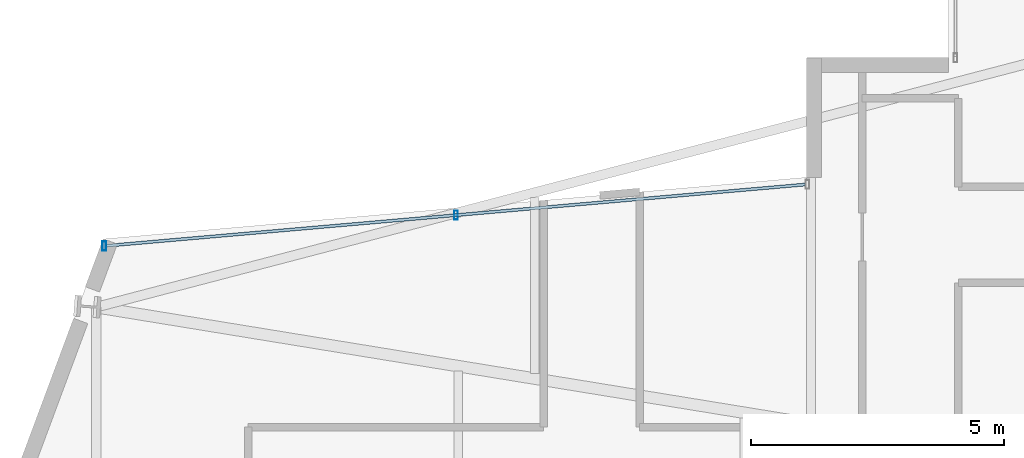
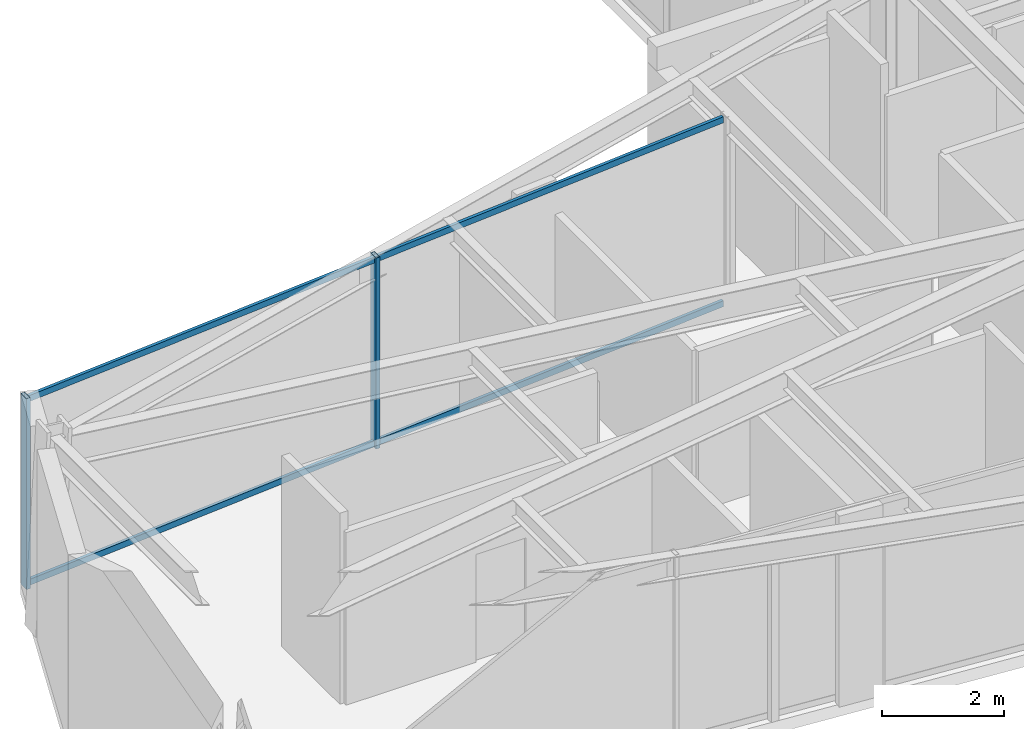
# One storey, part 8 of 25: 4 members, 1 element without a shape of its own.
"""IFC4 building model written with IfcOpenShell, lengths in metres."""

from ifc_helpers import new_model, si_unit, direction, frame, origin, origin_2d, place, context, subcontext, project, spatial, hollow_rectangle, extrude, material, layer, layer_set, material_profile, profile_set, type_object, element, aggregate, save


model = new_model("IFC4")

# Units and contexts
model_context = context("Model", 3, precision=1e-05, world=origin(), true_north=direction((0.0, 1.0)))
body_context = subcontext(model_context, "Body", "Model", "MODEL_VIEW")
ifc_project = project(units=[si_unit("LENGTHUNIT", "METRE"), si_unit("AREAUNIT", "SQUARE_METRE"), si_unit("VOLUMEUNIT", "CUBIC_METRE"), si_unit("PLANEANGLEUNIT", "RADIAN"), si_unit("MASSUNIT", "GRAM", prefix="KILO")], contexts=[model_context])

# Site, building, storey
site_placement = place(None, origin())
site = spatial("IfcSite", under=ifc_project, at=site_placement, CompositionType="ELEMENT")
building_placement = place(site_placement, origin())
building = spatial("IfcBuilding", under=site, at=building_placement, Name="Veymaron Broadcast Tower", CompositionType="ELEMENT")
storey_placement = place(building_placement, frame((0.0, 0.0, 173.550048828125)))
storey = spatial("IfcBuildingStorey", under=building, at=storey_placement, Name="L40", CompositionType="ELEMENT", Elevation=173.550048828125)

# Curtain wall, members
ifc_material_1 = material(Name="Anodised aluminium AA 6063-T6 and laminated low-E dark glass", Category="aluminium")
ifc_layer = layer(ifc_material_1, 0.179931640625)
ifc_layer_set = layer_set([ifc_layer], Name="Anodised aluminium AA 6063-T6 and laminated low-E dark glass")
curtain_wall_type = type_object("IfcCurtainWallType", Name="CW-SYS-03", PredefinedType="NOTDEFINED", material=ifc_layer_set)
curtain_wall_placement = place(storey_placement, origin())
curtain_wall = element("IfcCurtainWall", 1, at=curtain_wall_placement, inside=storey, type_object=curtain_wall_type, Name="L40 dark-glass curtain wall CW-L40-E11-1", PredefinedType="NOTDEFINED")
ifc_material_2 = material(Name="Anodised aluminium AA 6063-T6", Category="aluminium")
ifc_material_profile_1 = material_profile(ifc_material_2, hollow_rectangle(XDim=0.074951171875, YDim=0.179931640625, WallThickness=0.0048828125, at=origin_2d()), Name="AL180X75X5")
ifc_profile_set_1 = profile_set([ifc_material_profile_1], Name="Anodised aluminium AA 6063-T6")
member_type_1 = type_object("IfcMemberType", Name="CW-MUL-02", PredefinedType="MULLION", material=ifc_profile_set_1)
member_1_placement = place(storey_placement, frame((19.46630859375, 28.889404296875, 0.0), z_axis=(0.0, 0.0, 1.0), x_axis=(1.0, 0.0, 0.0)))
member_1 = element("IfcMember", 2, at=member_1_placement, type_object=member_type_1, Name="CW-L40-E11-1 mullion 1", PredefinedType="MULLION", context=body_context, shape_type="SweptSolid", body=[
    extrude(hollow_rectangle(XDim=0.074951171875, YDim=0.179931640625, WallThickness=0.0048828125, at=origin_2d()), origin(), (0.0, 0.0, 1.0), 3.81005859375),
])
member_2_placement = place(storey_placement, frame((12.51220703125, 28.279541015625, 0.0), z_axis=(0.0, 0.0, 1.0), x_axis=(1.0, 0.0, 0.0)))
member_2 = element("IfcMember", 3, at=member_2_placement, type_object=member_type_1, Name="CW-L40-E11-1 mullion 2", PredefinedType="MULLION", context=body_context, shape_type="SweptSolid", body=[
    extrude(hollow_rectangle(XDim=0.074951171875, YDim=0.179931640625, WallThickness=0.0048828125, at=origin_2d()), origin(), (0.0, 0.0, 1.0), 3.81005859375),
])
ifc_material_profile_2 = material_profile(ifc_material_2, hollow_rectangle(XDim=0.06005859375, YDim=0.1201171875, WallThickness=0.00390625, at=origin_2d()), Name="AL120X60X4")
ifc_profile_set_2 = profile_set([ifc_material_profile_2], Name="Anodised aluminium AA 6063-T6")
member_type_2 = type_object("IfcMemberType", Name="CW-TRN-02", PredefinedType="USERDEFINED", material=ifc_profile_set_2)
member_3_placement = place(storey_placement, frame((26.370361328125, 29.4951171875, 0.070068359375), z_axis=(-0.996175208104, -0.087378228176, 0.0), x_axis=(0.087378228176, -0.996175208104, 0.0)))
member_3 = element("IfcMember", 4, at=member_3_placement, type_object=member_type_2, Name="CW-L40-E11-1 transom B", ObjectType="TRANSOM", PredefinedType="USERDEFINED", context=body_context, shape_type="SweptSolid", body=[
    extrude(hollow_rectangle(XDim=0.06005859375, YDim=0.1201171875, WallThickness=0.00390625, at=origin_2d()), origin(), (0.0, 0.0, 1.0), 13.861328125),
])
member_4_placement = place(storey_placement, frame((26.370361328125, 29.4951171875, 3.739990234375), z_axis=(-0.996175208104, -0.087378228176, 0.0), x_axis=(0.087378228176, -0.996175208104, 0.0)))
member_4 = element("IfcMember", 5, at=member_4_placement, type_object=member_type_2, Name="CW-L40-E11-1 transom T", ObjectType="TRANSOM", PredefinedType="USERDEFINED", context=body_context, shape_type="SweptSolid", body=[
    extrude(hollow_rectangle(XDim=0.06005859375, YDim=0.1201171875, WallThickness=0.00390625, at=origin_2d()), origin(), (0.0, 0.0, 1.0), 13.861328125),
])
aggregate(curtain_wall, [member_1, member_2, member_3, member_4])

save(model, "model.ifc")
